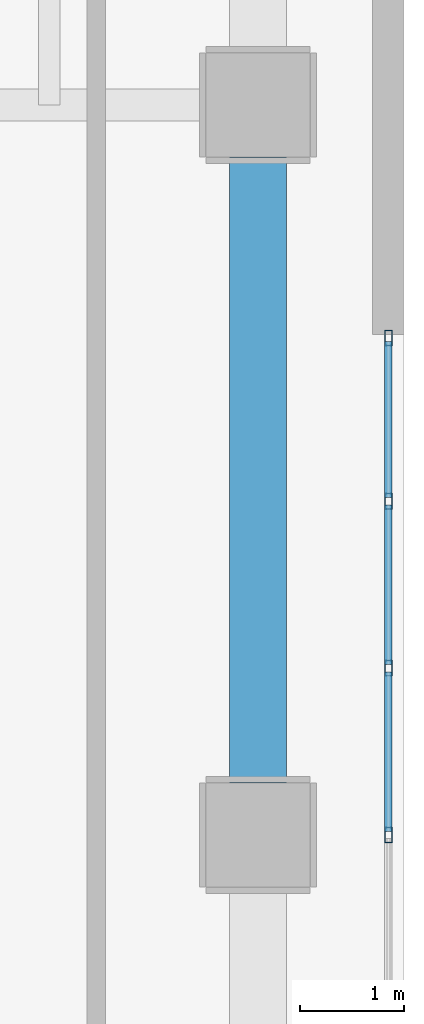
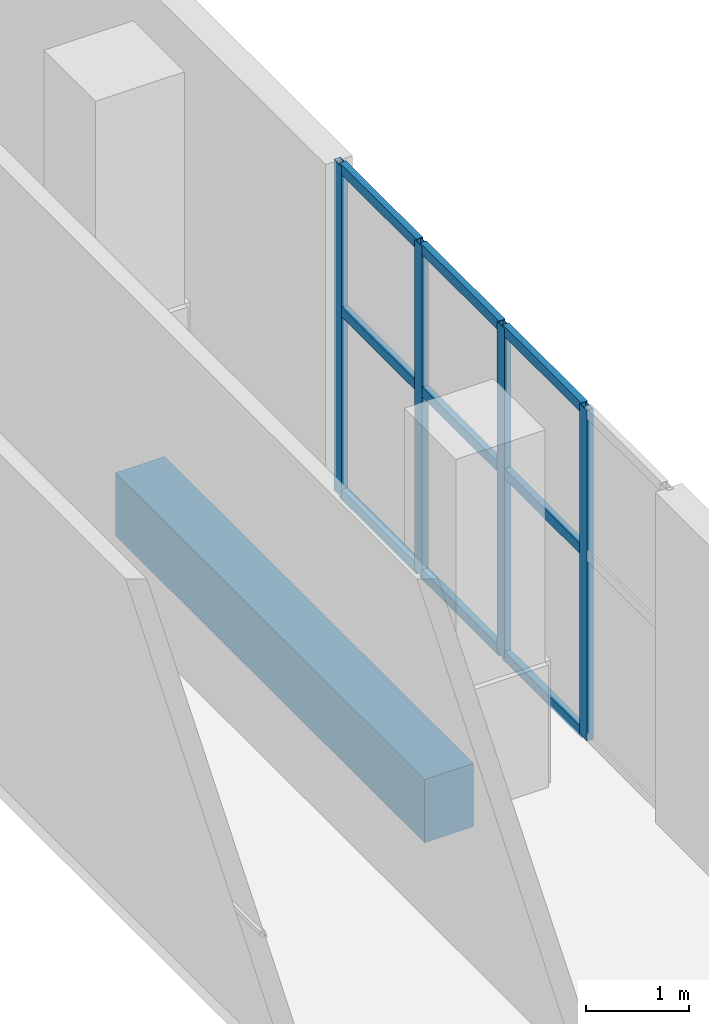
# One storey, part 12 of 24: 13 members, 1 beam, 1 element without a shape of its own.
"""IFC4 building model written with IfcOpenShell, lengths in metres."""

from ifc_helpers import new_model, si_unit, direction, frame, origin, origin_2d, place, context, subcontext, project, spatial, rectangle, hollow_rectangle, extrude, material, layer, layer_set, material_profile, profile_set, type_object, element, aggregate, save


model = new_model("IFC4")

# Units and contexts
model_context = context("Model", 3, precision=1e-05, world=origin(), true_north=direction((0.0, 1.0)))
body_context = subcontext(model_context, "Body", "Model", "MODEL_VIEW")
ifc_project = project(units=[si_unit("LENGTHUNIT", "METRE"), si_unit("AREAUNIT", "SQUARE_METRE"), si_unit("VOLUMEUNIT", "CUBIC_METRE"), si_unit("PLANEANGLEUNIT", "RADIAN"), si_unit("MASSUNIT", "GRAM", prefix="KILO")], contexts=[model_context])

# Site, building, storey
site_placement = place(None, origin())
site = spatial("IfcSite", under=ifc_project, at=site_placement, CompositionType="ELEMENT")
building_placement = place(site_placement, origin())
building = spatial("IfcBuilding", under=site, at=building_placement, Name="Solanera Arch Residences", CompositionType="ELEMENT")
storey_placement = place(building_placement, frame((0.0, 0.0, 5.199951171875)))
storey = spatial("IfcBuildingStorey", under=building, at=storey_placement, Name="L01", CompositionType="ELEMENT", Elevation=5.199951171875)

# Curtain wall, members
ifc_material_1 = material(Name="Anodised Aluminium Alloy 6063-T6", Category="aluminium")
ifc_layer = layer(ifc_material_1, 0.14990234375)
ifc_layer_set = layer_set([ifc_layer], Name="Anodised Aluminium Alloy 6063-T6")
curtain_wall_type = type_object("IfcCurtainWallType", Name="CW-2 Paseo Shopfront Glazing", PredefinedType="USERDEFINED", material=ifc_layer_set)
curtain_wall_placement = place(storey_placement, origin())
curtain_wall = element("IfcCurtainWall", 1, at=curtain_wall_placement, inside=storey, type_object=curtain_wall_type, Name="L01 Sports Hall East Promenade Glazing 1", ObjectType="CURTAIN_WALL", PredefinedType="USERDEFINED")
ifc_material_2 = material(Name="Anodised Aluminium Alloy 6063-T6", Category="aluminium")
ifc_material_profile_1 = material_profile(ifc_material_2, hollow_rectangle(XDim=0.070068359375, YDim=0.14990234375, WallThickness=0.00390625, at=origin_2d()))
ifc_profile_set_1 = profile_set([ifc_material_profile_1], Name="Anodised Aluminium Alloy 6063-T6")
member_type_1 = type_object("IfcMemberType", Name="Curtain Wall Mullion ALU-MUL-70X150", PredefinedType="MULLION", material=ifc_profile_set_1)
member_1_placement = place(storey_placement, frame((83.050048828125, 39.1650390625, 0.0), z_axis=(0.0, 0.0, 1.0), x_axis=(1.0, 0.0, 0.0)))
member_1 = element("IfcMember", 2, at=member_1_placement, type_object=member_type_1, Name="CW-2 mullion 1", PredefinedType="MULLION", context=body_context, shape_type="SweptSolid", body=[
    extrude(hollow_rectangle(XDim=0.070068359375, YDim=0.14990234375, WallThickness=0.00390625, at=origin_2d()), origin(), (0.0, 0.0, 1.0), 3.920166015625),
])
member_2_placement = place(storey_placement, frame((83.050048828125, 37.60009765625, 0.0), z_axis=(0.0, 0.0, 1.0), x_axis=(1.0, 0.0, 0.0)))
member_2 = element("IfcMember", 3, at=member_2_placement, type_object=member_type_1, Name="CW-2 mullion 2", PredefinedType="MULLION", context=body_context, shape_type="SweptSolid", body=[
    extrude(hollow_rectangle(XDim=0.070068359375, YDim=0.14990234375, WallThickness=0.00390625, at=origin_2d()), origin(), (0.0, 0.0, 1.0), 3.920166015625),
])
member_3_placement = place(storey_placement, frame((83.050048828125, 36.0, 0.0), z_axis=(0.0, 0.0, 1.0), x_axis=(1.0, 0.0, 0.0)))
member_3 = element("IfcMember", 4, at=member_3_placement, type_object=member_type_1, Name="CW-2 mullion 3", PredefinedType="MULLION", context=body_context, shape_type="SweptSolid", body=[
    extrude(hollow_rectangle(XDim=0.070068359375, YDim=0.14990234375, WallThickness=0.00390625, at=origin_2d()), origin(), (0.0, 0.0, 1.0), 3.920166015625),
])
member_4_placement = place(storey_placement, frame((83.050048828125, 34.39990234375, 0.0), z_axis=(0.0, 0.0, 1.0), x_axis=(1.0, 0.0, 0.0)))
member_4 = element("IfcMember", 5, at=member_4_placement, type_object=member_type_1, Name="CW-2 mullion 4", PredefinedType="MULLION", context=body_context, shape_type="SweptSolid", body=[
    extrude(hollow_rectangle(XDim=0.070068359375, YDim=0.14990234375, WallThickness=0.00390625, at=origin_2d()), origin(), (0.0, 0.0, 1.0), 3.920166015625),
])
ifc_material_3 = material(Name="Anodised Aluminium Alloy 6063-T6", Category="aluminium")
ifc_material_profile_2 = material_profile(ifc_material_3, hollow_rectangle(XDim=0.070068359375, YDim=0.1201171875, WallThickness=0.00390625, at=origin_2d()))
ifc_profile_set_2 = profile_set([ifc_material_profile_2], Name="Anodised Aluminium Alloy 6063-T6")
member_type_2 = type_object("IfcMemberType", Name="Curtain Wall Transom ALU-TRN-70X120", PredefinedType="USERDEFINED", material=ifc_profile_set_2)
member_5_placement = place(storey_placement, frame((83.050048828125, 39.1298828125, 0.03515625), z_axis=(0.0, -1.0, 0.0), x_axis=(1.0, 0.0, 0.0)))
member_5 = element("IfcMember", 6, at=member_5_placement, type_object=member_type_2, Name="CW-2 transom 1.1", ObjectType="TRANSOM", PredefinedType="USERDEFINED", context=body_context, shape_type="SweptSolid", body=[
    extrude(hollow_rectangle(XDim=0.070068359375, YDim=0.1201171875, WallThickness=0.00390625, at=origin_2d()), origin(), (0.0, 0.0, 1.0), 1.494873046875),
])
member_6_placement = place(storey_placement, frame((83.050048828125, 39.1298828125, 2.199951171875), z_axis=(0.0, -1.0, 0.0), x_axis=(1.0, 0.0, 0.0)))
member_6 = element("IfcMember", 7, at=member_6_placement, type_object=member_type_2, Name="CW-2 transom 1.2", ObjectType="TRANSOM", PredefinedType="USERDEFINED", context=body_context, shape_type="SweptSolid", body=[
    extrude(hollow_rectangle(XDim=0.070068359375, YDim=0.1201171875, WallThickness=0.00390625, at=origin_2d()), origin(), (0.0, 0.0, 1.0), 1.494873046875),
])
member_7_placement = place(storey_placement, frame((83.050048828125, 39.1298828125, 3.885009765625), z_axis=(0.0, -1.0, 0.0), x_axis=(1.0, 0.0, 0.0)))
member_7 = element("IfcMember", 8, at=member_7_placement, type_object=member_type_2, Name="CW-2 transom 1.3", ObjectType="TRANSOM", PredefinedType="USERDEFINED", context=body_context, shape_type="SweptSolid", body=[
    extrude(hollow_rectangle(XDim=0.070068359375, YDim=0.1201171875, WallThickness=0.00390625, at=origin_2d()), origin(), (0.0, 0.0, 1.0), 1.494873046875),
])
member_8_placement = place(storey_placement, frame((83.050048828125, 37.56494140625, 0.03515625), z_axis=(0.0, -1.0, 0.0), x_axis=(1.0, 0.0, 0.0)))
member_8 = element("IfcMember", 9, at=member_8_placement, type_object=member_type_2, Name="CW-2 transom 2.1", ObjectType="TRANSOM", PredefinedType="USERDEFINED", context=body_context, shape_type="SweptSolid", body=[
    extrude(hollow_rectangle(XDim=0.070068359375, YDim=0.1201171875, WallThickness=0.00390625, at=origin_2d()), origin(), (0.0, 0.0, 1.0), 1.530029296875),
])
member_9_placement = place(storey_placement, frame((83.050048828125, 37.56494140625, 2.199951171875), z_axis=(0.0, -1.0, 0.0), x_axis=(1.0, 0.0, 0.0)))
member_9 = element("IfcMember", 10, at=member_9_placement, type_object=member_type_2, Name="CW-2 transom 2.2", ObjectType="TRANSOM", PredefinedType="USERDEFINED", context=body_context, shape_type="SweptSolid", body=[
    extrude(hollow_rectangle(XDim=0.070068359375, YDim=0.1201171875, WallThickness=0.00390625, at=origin_2d()), origin(), (0.0, 0.0, 1.0), 1.530029296875),
])
member_10_placement = place(storey_placement, frame((83.050048828125, 37.56494140625, 3.885009765625), z_axis=(0.0, -1.0, 0.0), x_axis=(1.0, 0.0, 0.0)))
member_10 = element("IfcMember", 11, at=member_10_placement, type_object=member_type_2, Name="CW-2 transom 2.3", ObjectType="TRANSOM", PredefinedType="USERDEFINED", context=body_context, shape_type="SweptSolid", body=[
    extrude(hollow_rectangle(XDim=0.070068359375, YDim=0.1201171875, WallThickness=0.00390625, at=origin_2d()), origin(), (0.0, 0.0, 1.0), 1.530029296875),
])
member_11_placement = place(storey_placement, frame((83.050048828125, 35.965087890625, 0.03515625), z_axis=(0.0, -1.0, 0.0), x_axis=(1.0, 0.0, 0.0)))
member_11 = element("IfcMember", 12, at=member_11_placement, type_object=member_type_2, Name="CW-2 transom 3.1", ObjectType="TRANSOM", PredefinedType="USERDEFINED", context=body_context, shape_type="SweptSolid", body=[
    extrude(hollow_rectangle(XDim=0.070068359375, YDim=0.1201171875, WallThickness=0.00390625, at=origin_2d()), origin(), (0.0, 0.0, 1.0), 1.530029296875),
])
member_12_placement = place(storey_placement, frame((83.050048828125, 35.965087890625, 2.199951171875), z_axis=(0.0, -1.0, 0.0), x_axis=(1.0, 0.0, 0.0)))
member_12 = element("IfcMember", 13, at=member_12_placement, type_object=member_type_2, Name="CW-2 transom 3.2", ObjectType="TRANSOM", PredefinedType="USERDEFINED", context=body_context, shape_type="SweptSolid", body=[
    extrude(hollow_rectangle(XDim=0.070068359375, YDim=0.1201171875, WallThickness=0.00390625, at=origin_2d()), origin(), (0.0, 0.0, 1.0), 1.530029296875),
])
member_13_placement = place(storey_placement, frame((83.050048828125, 35.965087890625, 3.885009765625), z_axis=(0.0, -1.0, 0.0), x_axis=(1.0, 0.0, 0.0)))
member_13 = element("IfcMember", 14, at=member_13_placement, type_object=member_type_2, Name="CW-2 transom 3.3", ObjectType="TRANSOM", PredefinedType="USERDEFINED", context=body_context, shape_type="SweptSolid", body=[
    extrude(hollow_rectangle(XDim=0.070068359375, YDim=0.1201171875, WallThickness=0.00390625, at=origin_2d()), origin(), (0.0, 0.0, 1.0), 1.530029296875),
])
aggregate(curtain_wall, [member_1, member_2, member_3, member_4, member_5, member_6, member_7, member_8, member_9, member_10, member_11, member_12, member_13])

# Beam
ifc_material_4 = material(Name="Concrete C40/50 (f'c = 45 MPa)", Category="concrete")
ifc_material_profile_3 = material_profile(ifc_material_4, rectangle(XDim=0.550048828125, YDim=0.75, at=origin_2d()))
ifc_profile_set_3 = profile_set([ifc_material_profile_3], Name="Concrete C40/50 (f'c = 45 MPa)")
beam_type = type_object("IfcBeamType", Name="Primary Beam RC-BM-550X750", PredefinedType="BEAM", material=ifc_profile_set_3)
beam_placement = place(storey_placement, frame((81.800048828125, 34.89990234375, -0.655029296875), z_axis=(0.0, 1.0, 0.0), x_axis=(-1.0, 0.0, 0.0)))
element("IfcBeam", 15, at=beam_placement, inside=storey, type_object=beam_type, Name="BM-L01-HE-4", PredefinedType="BEAM", context=body_context, shape_type="SweptSolid", body=[
    extrude(rectangle(XDim=0.550048828125, YDim=0.75, at=origin_2d()), origin(), (0.0, 0.0, 1.0), 6.0),
])

save(model, "model.ifc")
